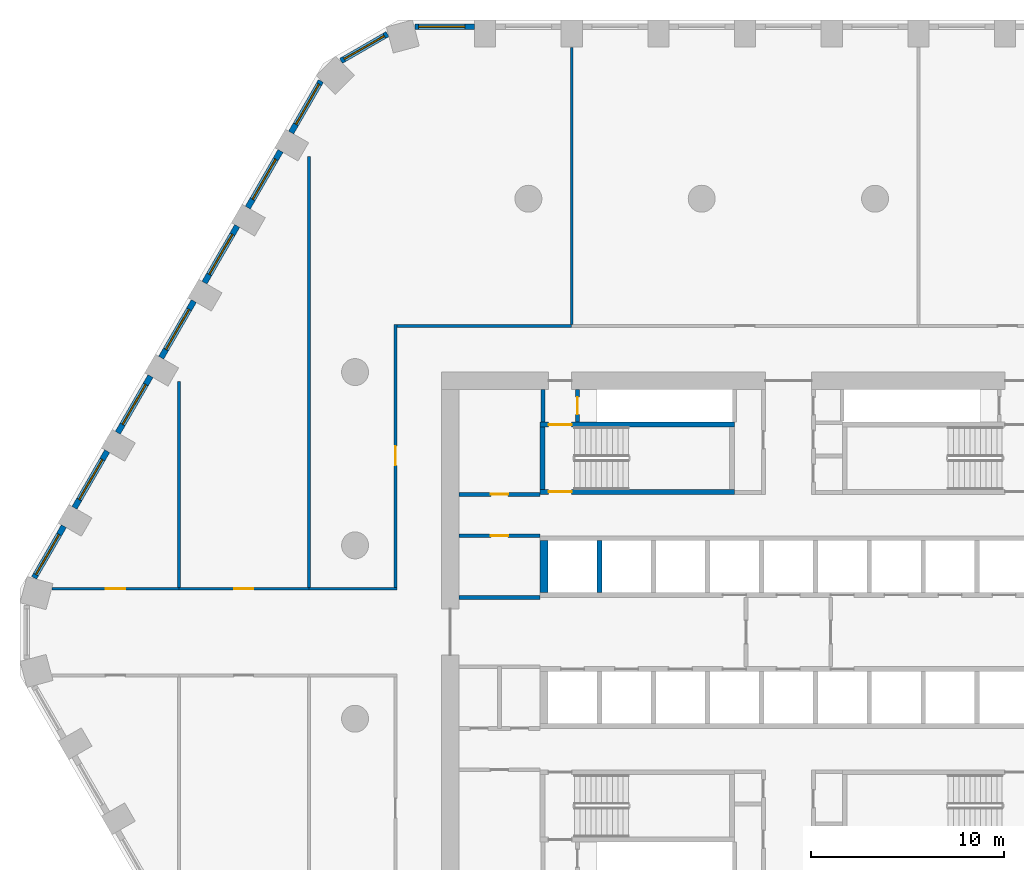
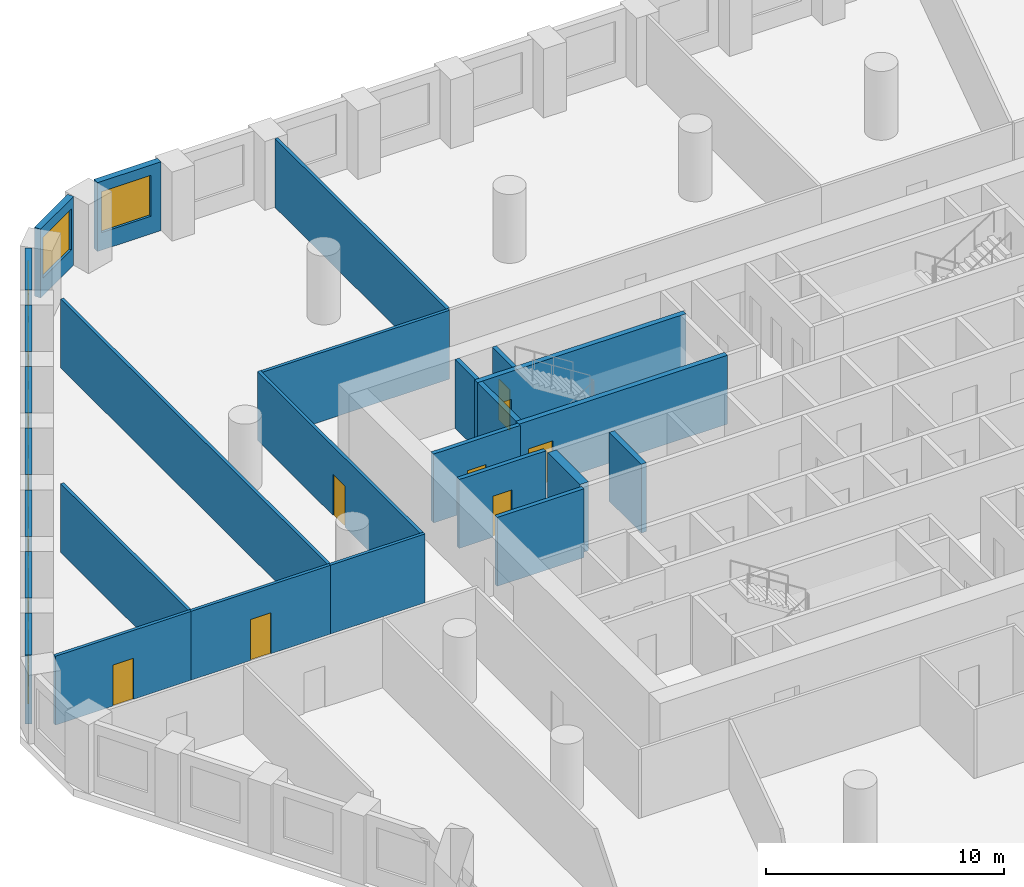
# One storey, part 5 of 10: 27 walls, 9 windows, 8 doors, 17 openings.
"""IFC4 building model written with IfcOpenShell, lengths in metres."""

from ifc_helpers import new_model, si_unit, direction, frame, frame_2d, origin, place, context, subcontext, project, spatial, polyline, rectangle, outline, extrude, material, layer, layer_set, type_object, element, fill, save


model = new_model("IFC4")

# Units and contexts
model_context = context("Model", 3, precision=1e-05, world=origin(), true_north=direction((0.0, 1.0)))
body_context = subcontext(model_context, "Body", "Model", "MODEL_VIEW")
ifc_project = project(units=[si_unit("LENGTHUNIT", "METRE"), si_unit("AREAUNIT", "SQUARE_METRE"), si_unit("VOLUMEUNIT", "CUBIC_METRE"), si_unit("PLANEANGLEUNIT", "RADIAN"), si_unit("MASSUNIT", "GRAM", prefix="KILO")], contexts=[model_context])

# Site, building, storey
site_placement = place(None, origin())
site = spatial("IfcSite", under=ifc_project, at=site_placement, CompositionType="ELEMENT")
building_placement = place(site_placement, origin())
building = spatial("IfcBuilding", under=site, at=building_placement, Name="Dhurran Vertical Campus", CompositionType="ELEMENT")
storey_placement = place(building_placement, frame((0.0, 0.0, 65.10009765625)))
storey = spatial("IfcBuildingStorey", under=building, at=storey_placement, Name="L15", CompositionType="ELEMENT", Elevation=65.10009765625)

# Wall, opening, window
ifc_material_1 = material(Name="Precast concrete C50/60", Category="concrete")
ifc_layer_1 = layer(ifc_material_1, 0.300048828125)
ifc_layer_set_1 = layer_set([ifc_layer_1], Name="Precast concrete C50/60")
wall_type_1 = type_object("IfcWallType", Name="Precast spandrel wall 300", PredefinedType="SOLIDWALL", material=ifc_layer_set_1)
wall_1_placement = place(storey_placement, frame((-16.300537109375, 31.4296875, 0.0), z_axis=(0.0, 0.0, 1.0), x_axis=(-1.0, 0.0, 0.0)))
wall_1 = element("IfcWall", 1, at=wall_1_placement, inside=storey, type_object=wall_type_1, Name="EW1 L15.34", PredefinedType="SOLIDWALL", context=body_context, shape_type="SweptSolid", body=[
    extrude(rectangle(XDim=3.090576171875, YDim=0.300048828125, at=frame_2d((1.54541015625, 0.0))), origin(), (0.0, 0.0, 1.0), 3.52490234375),
])
opening_1_placement = place(wall_1_placement, frame((0.49951171875, 0.0, 0.89990234375)))
opening_1 = element("IfcOpeningElement", 2, at=opening_1_placement, cuts=wall_1, Name="Opening WT1", PredefinedType="OPENING", context=body_context, shape_type="SweptSolid", body=[
    extrude(rectangle(XDim=2.39990234375, YDim=2.10009765625, at=frame_2d((1.199951171875, 1.050048828125))), frame((0.0, 0.159912109375, 0.0), z_axis=(0.0, -1.0, 0.0), x_axis=(1.0, 0.0, 0.0)), (0.0, 0.0, 1.0), 0.320068359375),
])
ifc_material_2 = material(Name="Aluminium frame with solar-control glass", Category="aluminium")
window_type = type_object("IfcWindowType", Name="Punched window 2400 x 2100", PartitioningType="SINGLE_PANEL", PredefinedType="WINDOW", material=ifc_material_2)
window_1_placement = place(opening_1_placement, origin())
window_1 = element("IfcWindow", 3, at=window_1_placement, inside=storey, type_object=window_type, Name="WT1 L15.34", OverallHeight=2.10009765625, OverallWidth=2.39990234375, PartitioningType="SINGLE_PANEL", PredefinedType="WINDOW", context=body_context, shape_type="SweptSolid", body=[
    extrude(rectangle(XDim=2.39990234375, YDim=2.10009765625, at=frame_2d((1.199951171875, 1.050048828125))), frame((0.0, 0.030029296875, 0.0), z_axis=(0.0, -1.0, 0.0), x_axis=(1.0, 0.0, 0.0)), (0.0, 0.0, 1.0), 0.06005859375),
])
fill(opening_1, window_1)

wall_2_placement = place(storey_placement, frame((-20.81884765625, 31.047119140625, 0.0), z_axis=(0.0, 0.0, 1.0), x_axis=(-0.866020456713, -0.500008568482, 0.0)))
wall_2 = element("IfcWall", 4, at=wall_2_placement, inside=storey, type_object=wall_type_1, Name="EW1 L15.35", PredefinedType="SOLIDWALL", context=body_context, shape_type="SweptSolid", body=[
    extrude(rectangle(XDim=2.7822265625, YDim=0.300048828125, at=frame_2d((1.39111328125, 0.0))), origin(), (0.0, 0.0, 1.0), 3.52490234375),
])
opening_2_placement = place(wall_2_placement, frame((0.191162109375, 0.0, 0.89990234375)))
opening_2 = element("IfcOpeningElement", 5, at=opening_2_placement, cuts=wall_2, Name="Opening WT1", PredefinedType="OPENING", context=body_context, shape_type="SweptSolid", body=[
    extrude(rectangle(XDim=2.39990234375, YDim=2.10009765625, at=frame_2d((1.199951171875, 1.050048828125))), frame((0.0, 0.159912109375, 0.0), z_axis=(0.0, -1.0, 0.0), x_axis=(1.0, 0.0, 0.0)), (0.0, 0.0, 1.0), 0.320068359375),
])
window_2_placement = place(opening_2_placement, origin())
window_2 = element("IfcWindow", 6, at=window_2_placement, inside=storey, type_object=window_type, Name="WT1 L15.35", OverallHeight=2.10009765625, OverallWidth=2.39990234375, PartitioningType="SINGLE_PANEL", PredefinedType="WINDOW", context=body_context, shape_type="SweptSolid", body=[
    extrude(rectangle(XDim=2.39990234375, YDim=2.10009765625, at=frame_2d((1.199951171875, 1.050048828125))), frame((0.0, 0.030029296875, 0.0), z_axis=(0.0, -1.0, 0.0), x_axis=(1.0, 0.0, 0.0)), (0.0, 0.0, 1.0), 0.06005859375),
])
fill(opening_2, window_2)

wall_3_placement = place(storey_placement, frame((-24.2734375, 28.611083984375, 0.0), z_axis=(0.0, 0.0, 1.0), x_axis=(-0.499995950774, -0.866027741594, 0.0)))
wall_3 = element("IfcWall", 7, at=wall_3_placement, inside=storey, type_object=wall_type_1, Name="EW1 L15.36", PredefinedType="SOLIDWALL", context=body_context, shape_type="SweptSolid", body=[
    extrude(rectangle(XDim=3.0908203125, YDim=0.300048828125, at=frame_2d((1.54541015625, 0.0))), origin(), (0.0, 0.0, 1.0), 3.52490234375),
])
opening_3_placement = place(wall_3_placement, frame((0.191162109375, 0.0, 0.89990234375)))
opening_3 = element("IfcOpeningElement", 8, at=opening_3_placement, cuts=wall_3, Name="Opening WT1", PredefinedType="OPENING", context=body_context, shape_type="SweptSolid", body=[
    extrude(rectangle(XDim=2.39990234375, YDim=2.10009765625, at=frame_2d((1.199951171875, 1.050048828125))), frame((0.0, 0.159912109375, 0.0), z_axis=(0.0, -1.0, 0.0), x_axis=(1.0, 0.0, 0.0)), (0.0, 0.0, 1.0), 0.320068359375),
])
window_3_placement = place(opening_3_placement, origin())
window_3 = element("IfcWindow", 9, at=window_3_placement, inside=storey, type_object=window_type, Name="WT1 L15.36", OverallHeight=2.10009765625, OverallWidth=2.39990234375, PartitioningType="SINGLE_PANEL", PredefinedType="WINDOW", context=body_context, shape_type="SweptSolid", body=[
    extrude(rectangle(XDim=2.39990234375, YDim=2.10009765625, at=frame_2d((1.199951171875, 1.050048828125))), frame((0.0, 0.030029296875, 0.0), z_axis=(0.0, -1.0, 0.0), x_axis=(1.0, 0.0, 0.0)), (0.0, 0.0, 1.0), 0.06005859375),
])
fill(opening_3, window_3)

wall_4_placement = place(storey_placement, frame((-26.369384765625, 24.98095703125, 0.0), z_axis=(0.0, 0.0, 1.0), x_axis=(-0.499993955907, -0.866028893315, 0.0)))
wall_4 = element("IfcWall", 10, at=wall_4_placement, inside=storey, type_object=wall_type_1, Name="EW1 L15.37", PredefinedType="SOLIDWALL", context=body_context, shape_type="SweptSolid", body=[
    extrude(rectangle(XDim=3.39892578125, YDim=0.300048828125, at=frame_2d((1.699462890625, 0.0))), origin(), (0.0, 0.0, 1.0), 3.52490234375),
])
opening_4_placement = place(wall_4_placement, frame((0.49951171875, 0.0, 0.89990234375)))
opening_4 = element("IfcOpeningElement", 11, at=opening_4_placement, cuts=wall_4, Name="Opening WT1", PredefinedType="OPENING", context=body_context, shape_type="SweptSolid", body=[
    extrude(rectangle(XDim=2.39990234375, YDim=2.10009765625, at=frame_2d((1.199951171875, 1.050048828125))), frame((0.0, 0.159912109375, 0.0), z_axis=(0.0, -1.0, 0.0), x_axis=(1.0, 0.0, 0.0)), (0.0, 0.0, 1.0), 0.320068359375),
])
window_4_placement = place(opening_4_placement, origin())
window_4 = element("IfcWindow", 12, at=window_4_placement, inside=storey, type_object=window_type, Name="WT1 L15.37", OverallHeight=2.10009765625, OverallWidth=2.39990234375, PartitioningType="SINGLE_PANEL", PredefinedType="WINDOW", context=body_context, shape_type="SweptSolid", body=[
    extrude(rectangle(XDim=2.39990234375, YDim=2.10009765625, at=frame_2d((1.199951171875, 1.050048828125))), frame((0.0, 0.030029296875, 0.0), z_axis=(0.0, -1.0, 0.0), x_axis=(1.0, 0.0, 0.0)), (0.0, 0.0, 1.0), 0.06005859375),
])
fill(opening_4, window_4)

wall_5_placement = place(storey_placement, frame((-28.619384765625, 21.083740234375, 0.0), z_axis=(0.0, 0.0, 1.0), x_axis=(-0.499993955907, -0.866028893315, 0.0)))
wall_5 = element("IfcWall", 13, at=wall_5_placement, inside=storey, type_object=wall_type_1, Name="EW1 L15.38", PredefinedType="SOLIDWALL", context=body_context, shape_type="SweptSolid", body=[
    extrude(rectangle(XDim=3.39892578125, YDim=0.300048828125, at=frame_2d((1.699462890625, 0.0))), origin(), (0.0, 0.0, 1.0), 3.52490234375),
])
opening_5_placement = place(wall_5_placement, frame((0.49951171875, 0.0, 0.89990234375)))
opening_5 = element("IfcOpeningElement", 14, at=opening_5_placement, cuts=wall_5, Name="Opening WT1", PredefinedType="OPENING", context=body_context, shape_type="SweptSolid", body=[
    extrude(rectangle(XDim=2.39990234375, YDim=2.10009765625, at=frame_2d((1.199951171875, 1.050048828125))), frame((0.0, 0.159912109375, 0.0), z_axis=(0.0, -1.0, 0.0), x_axis=(1.0, 0.0, 0.0)), (0.0, 0.0, 1.0), 0.320068359375),
])
window_5_placement = place(opening_5_placement, origin())
window_5 = element("IfcWindow", 15, at=window_5_placement, inside=storey, type_object=window_type, Name="WT1 L15.38", OverallHeight=2.10009765625, OverallWidth=2.39990234375, PartitioningType="SINGLE_PANEL", PredefinedType="WINDOW", context=body_context, shape_type="SweptSolid", body=[
    extrude(rectangle(XDim=2.39990234375, YDim=2.10009765625, at=frame_2d((1.199951171875, 1.050048828125))), frame((0.0, 0.030029296875, 0.0), z_axis=(0.0, -1.0, 0.0), x_axis=(1.0, 0.0, 0.0)), (0.0, 0.0, 1.0), 0.06005859375),
])
fill(opening_5, window_5)

wall_6_placement = place(storey_placement, frame((-30.869384765625, 17.186767578125, 0.0), z_axis=(0.0, 0.0, 1.0), x_axis=(-0.499993955907, -0.866028893315, 0.0)))
wall_6 = element("IfcWall", 16, at=wall_6_placement, inside=storey, type_object=wall_type_1, Name="EW1 L15.39", PredefinedType="SOLIDWALL", context=body_context, shape_type="SweptSolid", body=[
    extrude(rectangle(XDim=3.39892578125, YDim=0.300048828125, at=frame_2d((1.699462890625, 0.0))), origin(), (0.0, 0.0, 1.0), 3.52490234375),
])
opening_6_placement = place(wall_6_placement, frame((0.49951171875, 0.0, 0.89990234375)))
opening_6 = element("IfcOpeningElement", 17, at=opening_6_placement, cuts=wall_6, Name="Opening WT1", PredefinedType="OPENING", context=body_context, shape_type="SweptSolid", body=[
    extrude(rectangle(XDim=2.39990234375, YDim=2.10009765625, at=frame_2d((1.199951171875, 1.050048828125))), frame((0.0, 0.159912109375, 0.0), z_axis=(0.0, -1.0, 0.0), x_axis=(1.0, 0.0, 0.0)), (0.0, 0.0, 1.0), 0.320068359375),
])
window_6_placement = place(opening_6_placement, origin())
window_6 = element("IfcWindow", 18, at=window_6_placement, inside=storey, type_object=window_type, Name="WT1 L15.39", OverallHeight=2.10009765625, OverallWidth=2.39990234375, PartitioningType="SINGLE_PANEL", PredefinedType="WINDOW", context=body_context, shape_type="SweptSolid", body=[
    extrude(rectangle(XDim=2.39990234375, YDim=2.10009765625, at=frame_2d((1.199951171875, 1.050048828125))), frame((0.0, 0.030029296875, 0.0), z_axis=(0.0, -1.0, 0.0), x_axis=(1.0, 0.0, 0.0)), (0.0, 0.0, 1.0), 0.06005859375),
])
fill(opening_6, window_6)

wall_7_placement = place(storey_placement, frame((-33.119384765625, 13.28955078125, 0.0), z_axis=(0.0, 0.0, 1.0), x_axis=(-0.499993955907, -0.866028893315, 0.0)))
wall_7 = element("IfcWall", 19, at=wall_7_placement, inside=storey, type_object=wall_type_1, Name="EW1 L15.40", PredefinedType="SOLIDWALL", context=body_context, shape_type="SweptSolid", body=[
    extrude(rectangle(XDim=3.39892578125, YDim=0.300048828125, at=frame_2d((1.699462890625, 0.0))), origin(), (0.0, 0.0, 1.0), 3.52490234375),
])
opening_7_placement = place(wall_7_placement, frame((0.49951171875, 0.0, 0.89990234375)))
opening_7 = element("IfcOpeningElement", 20, at=opening_7_placement, cuts=wall_7, Name="Opening WT1", PredefinedType="OPENING", context=body_context, shape_type="SweptSolid", body=[
    extrude(rectangle(XDim=2.39990234375, YDim=2.10009765625, at=frame_2d((1.199951171875, 1.050048828125))), frame((0.0, 0.159912109375, 0.0), z_axis=(0.0, -1.0, 0.0), x_axis=(1.0, 0.0, 0.0)), (0.0, 0.0, 1.0), 0.320068359375),
])
window_7_placement = place(opening_7_placement, origin())
window_7 = element("IfcWindow", 21, at=window_7_placement, inside=storey, type_object=window_type, Name="WT1 L15.40", OverallHeight=2.10009765625, OverallWidth=2.39990234375, PartitioningType="SINGLE_PANEL", PredefinedType="WINDOW", context=body_context, shape_type="SweptSolid", body=[
    extrude(rectangle(XDim=2.39990234375, YDim=2.10009765625, at=frame_2d((1.199951171875, 1.050048828125))), frame((0.0, 0.030029296875, 0.0), z_axis=(0.0, -1.0, 0.0), x_axis=(1.0, 0.0, 0.0)), (0.0, 0.0, 1.0), 0.06005859375),
])
fill(opening_7, window_7)

wall_8_placement = place(storey_placement, frame((-35.369384765625, 9.392578125, 0.0), z_axis=(0.0, 0.0, 1.0), x_axis=(-0.499993955907, -0.866028893315, 0.0)))
wall_8 = element("IfcWall", 22, at=wall_8_placement, inside=storey, type_object=wall_type_1, Name="EW1 L15.41", PredefinedType="SOLIDWALL", context=body_context, shape_type="SweptSolid", body=[
    extrude(rectangle(XDim=3.39892578125, YDim=0.300048828125, at=frame_2d((1.699462890625, 0.0))), origin(), (0.0, 0.0, 1.0), 3.52490234375),
])
opening_8_placement = place(wall_8_placement, frame((0.49951171875, 0.0, 0.89990234375)))
opening_8 = element("IfcOpeningElement", 23, at=opening_8_placement, cuts=wall_8, Name="Opening WT1", PredefinedType="OPENING", context=body_context, shape_type="SweptSolid", body=[
    extrude(rectangle(XDim=2.39990234375, YDim=2.10009765625, at=frame_2d((1.199951171875, 1.050048828125))), frame((0.0, 0.159912109375, 0.0), z_axis=(0.0, -1.0, 0.0), x_axis=(1.0, 0.0, 0.0)), (0.0, 0.0, 1.0), 0.320068359375),
])
window_8_placement = place(opening_8_placement, origin())
window_8 = element("IfcWindow", 24, at=window_8_placement, inside=storey, type_object=window_type, Name="WT1 L15.41", OverallHeight=2.10009765625, OverallWidth=2.39990234375, PartitioningType="SINGLE_PANEL", PredefinedType="WINDOW", context=body_context, shape_type="SweptSolid", body=[
    extrude(rectangle(XDim=2.39990234375, YDim=2.10009765625, at=frame_2d((1.199951171875, 1.050048828125))), frame((0.0, 0.030029296875, 0.0), z_axis=(0.0, -1.0, 0.0), x_axis=(1.0, 0.0, 0.0)), (0.0, 0.0, 1.0), 0.06005859375),
])
fill(opening_8, window_8)

wall_9_placement = place(storey_placement, frame((-37.619384765625, 5.495361328125, 0.0), z_axis=(0.0, 0.0, 1.0), x_axis=(-0.49997090907, -0.866042198789, 0.0)))
wall_9 = element("IfcWall", 25, at=wall_9_placement, inside=storey, type_object=wall_type_1, Name="EW1 L15.42", PredefinedType="SOLIDWALL", context=body_context, shape_type="SweptSolid", body=[
    extrude(rectangle(XDim=3.090576171875, YDim=0.300048828125, at=frame_2d((1.54541015625, 0.0))), origin(), (0.0, 0.0, 1.0), 3.52490234375),
])
opening_9_placement = place(wall_9_placement, frame((0.49951171875, 0.0, 0.89990234375)))
opening_9 = element("IfcOpeningElement", 26, at=opening_9_placement, cuts=wall_9, Name="Opening WT1", PredefinedType="OPENING", context=body_context, shape_type="SweptSolid", body=[
    extrude(rectangle(XDim=2.39990234375, YDim=2.10009765625, at=frame_2d((1.199951171875, 1.050048828125))), frame((0.0, 0.159912109375, 0.0), z_axis=(0.0, -1.0, 0.0), x_axis=(1.0, 0.0, 0.0)), (0.0, 0.0, 1.0), 0.320068359375),
])
window_9_placement = place(opening_9_placement, origin())
window_9 = element("IfcWindow", 27, at=window_9_placement, inside=storey, type_object=window_type, Name="WT1 L15.42", OverallHeight=2.10009765625, OverallWidth=2.39990234375, PartitioningType="SINGLE_PANEL", PredefinedType="WINDOW", context=body_context, shape_type="SweptSolid", body=[
    extrude(rectangle(XDim=2.39990234375, YDim=2.10009765625, at=frame_2d((1.199951171875, 1.050048828125))), frame((0.0, 0.030029296875, 0.0), z_axis=(0.0, -1.0, 0.0), x_axis=(1.0, 0.0, 0.0)), (0.0, 0.0, 1.0), 0.06005859375),
])
fill(opening_9, window_9)

# Wall
ifc_material_3 = material(Name="Fire-rated masonry blockwork", Category="masonry")
ifc_layer_2 = layer(ifc_material_3, 0.199951171875)
ifc_layer_set_2 = layer_set([ifc_layer_2], Name="Fire-rated masonry blockwork")
wall_type_2 = type_object("IfcWallType", Name="co-FIRE-PARTITION-200", PredefinedType="PARTITIONING", material=ifc_layer_set_2)
wall_10_placement = place(storey_placement, frame((-12.75, 10.89990234375, 0.0), z_axis=(0.0, 0.0, 1.0), x_axis=(0.0, 1.0, 0.0)))
element("IfcWall", 28, at=wall_10_placement, inside=storey, type_object=wall_type_2, Name="Core partition pass-ST1-o L15", PredefinedType="PARTITIONING", context=body_context, shape_type="SweptSolid", body=[
    extrude(rectangle(XDim=1.7001953125, YDim=0.199951171875, at=frame_2d((0.85009765625, 0.0))), origin(), (0.0, 0.0, 1.0), 3.52490234375),
])

# Wall, opening, door
wall_11_placement = place(storey_placement, frame((-10.949951171875, 10.89990234375, 0.0), z_axis=(0.0, 0.0, 1.0), x_axis=(0.0, 1.0, 0.0)))
wall_11 = element("IfcWall", 29, at=wall_11_placement, inside=storey, type_object=wall_type_2, Name="Core partition pass-ST1-i L15", PredefinedType="PARTITIONING", context=body_context, shape_type="SweptSolid", body=[
    extrude(rectangle(XDim=1.7001953125, YDim=0.199951171875, at=frame_2d((0.85009765625, 0.0))), origin(), (0.0, 0.0, 1.0), 3.52490234375),
])
opening_10_placement = place(wall_11_placement, frame((0.39990234375, 0.0, 0.0)))
opening_10 = element("IfcOpeningElement", 30, at=opening_10_placement, cuts=wall_11, Name="Opening T04-C9", PredefinedType="OPENING", context=body_context, shape_type="SweptSolid", body=[
    extrude(rectangle(XDim=0.89990234375, YDim=2.10009765625, at=frame_2d((0.449951171875, 1.050048828125))), frame((0.0, 0.10986328125, 0.0), z_axis=(0.0, -1.0, 0.0), x_axis=(1.0, 0.0, 0.0)), (0.0, 0.0, 1.0), 0.219970703125),
])
ifc_material_4 = material(Name="Fire-rated timber door set", Category="wood")
door_type_1 = type_object("IfcDoorType", Name="co-D-ROOM 900x2100", OperationType="SINGLE_SWING_LEFT", PredefinedType="DOOR", material=ifc_material_4)
door_1_placement = place(opening_10_placement, origin())
door_1 = element("IfcDoor", 31, at=door_1_placement, inside=storey, type_object=door_type_1, Name="Riser room door L15", OperationType="SINGLE_SWING_LEFT", OverallHeight=2.10009765625, OverallWidth=0.89990234375, PredefinedType="DOOR", context=body_context, shape_type="SweptSolid", body=[
    extrude(rectangle(XDim=0.89990234375, YDim=2.10009765625, at=frame_2d((0.449951171875, 1.050048828125))), frame((0.0, 0.02490234375, 0.0), z_axis=(0.0, -1.0, 0.0), x_axis=(1.0, 0.0, 0.0)), (0.0, 0.0, 1.0), 0.050048828125),
])
fill(opening_10, door_1)

wall_12_placement = place(storey_placement, frame((-17.10009765625, 7.14990234375, 0.0), z_axis=(0.0, 0.0, 1.0), x_axis=(1.0, 0.0, 0.0)))
wall_12 = element("IfcWall", 32, at=wall_12_placement, inside=storey, type_object=wall_type_2, Name="Core partition en-NW-w L15", PredefinedType="PARTITIONING", context=body_context, shape_type="SweptSolid", body=[
    extrude(rectangle(XDim=4.2001953125, YDim=0.199951171875, at=frame_2d((2.10009765625, 0.0))), origin(), (0.0, 0.0, 1.0), 3.52490234375),
])
opening_11_placement = place(wall_12_placement, frame((1.64990234375, 0.0, 0.0)))
opening_11 = element("IfcOpeningElement", 33, at=opening_11_placement, cuts=wall_12, Name="Opening T04-C13", PredefinedType="OPENING", context=body_context, shape_type="SweptSolid", body=[
    extrude(rectangle(XDim=0.89990234375, YDim=2.10009765625, at=frame_2d((0.449951171875, 1.050048828125))), frame((0.0, 0.10986328125, 0.0), z_axis=(0.0, -1.0, 0.0), x_axis=(1.0, 0.0, 0.0)), (0.0, 0.0, 1.0), 0.219970703125),
])
door_2_placement = place(opening_11_placement, origin())
door_2 = element("IfcDoor", 34, at=door_2_placement, inside=storey, type_object=door_type_1, Name="Store door L15", OperationType="SINGLE_SWING_LEFT", OverallHeight=2.10009765625, OverallWidth=0.89990234375, PredefinedType="DOOR", context=body_context, shape_type="SweptSolid", body=[
    extrude(rectangle(XDim=0.89990234375, YDim=2.10009765625, at=frame_2d((0.449951171875, 1.050048828125))), frame((0.0, 0.02490234375, 0.0), z_axis=(0.0, -1.0, 0.0), x_axis=(1.0, 0.0, 0.0)), (0.0, 0.0, 1.0), 0.050048828125),
])
fill(opening_11, door_2)

wall_13_placement = place(storey_placement, frame((-17.10009765625, 5.0, 0.0), z_axis=(0.0, 0.0, 1.0), x_axis=(1.0, 0.0, 0.0)))
wall_13 = element("IfcWall", 35, at=wall_13_placement, inside=storey, type_object=wall_type_2, Name="Core partition es-NW-w L15", PredefinedType="PARTITIONING", context=body_context, shape_type="SweptSolid", body=[
    extrude(rectangle(XDim=4.2001953125, YDim=0.199951171875, at=frame_2d((2.10009765625, 0.0))), origin(), (0.0, 0.0, 1.0), 3.52490234375),
])
opening_12_placement = place(wall_13_placement, frame((1.64990234375, 0.0, 0.0)))
opening_12 = element("IfcOpeningElement", 36, at=opening_12_placement, cuts=wall_13, Name="Opening T04-C14", PredefinedType="OPENING", context=body_context, shape_type="SweptSolid", body=[
    extrude(rectangle(XDim=0.89990234375, YDim=2.10009765625, at=frame_2d((0.449951171875, 1.050048828125))), frame((0.0, 0.10986328125, 0.0), z_axis=(0.0, -1.0, 0.0), x_axis=(1.0, 0.0, 0.0)), (0.0, 0.0, 1.0), 0.219970703125),
])
door_3_placement = place(opening_12_placement, origin())
door_3 = element("IfcDoor", 37, at=door_3_placement, inside=storey, type_object=door_type_1, Name="Print room door L15", OperationType="SINGLE_SWING_LEFT", OverallHeight=2.10009765625, OverallWidth=0.89990234375, PredefinedType="DOOR", context=body_context, shape_type="SweptSolid", body=[
    extrude(rectangle(XDim=0.89990234375, YDim=2.10009765625, at=frame_2d((0.449951171875, 1.050048828125))), frame((0.0, 0.02490234375, 0.0), z_axis=(0.0, -1.0, 0.0), x_axis=(1.0, 0.0, 0.0)), (0.0, 0.0, 1.0), 0.050048828125),
])
fill(opening_12, door_3)

# Walls
wall_14_placement = place(storey_placement, frame((-17.10009765625, 1.800048828125, 0.0), z_axis=(0.0, 0.0, 1.0), x_axis=(1.0, 0.0, 0.0)))
element("IfcWall", 38, at=wall_14_placement, inside=storey, type_object=wall_type_2, Name="Core partition es-NW-l L15", PredefinedType="PARTITIONING", context=body_context, shape_type="SweptSolid", body=[
    extrude(rectangle(XDim=4.2001953125, YDim=0.199951171875, at=frame_2d((2.10009765625, 0.0))), origin(), (0.0, 0.0, 1.0), 3.52490234375),
])
ifc_material_5 = material(Name="Concrete C50/60", Category="concrete")
ifc_layer_3 = layer(ifc_material_5, 0.25)
ifc_layer_set_3 = layer_set([ifc_layer_3], Name="Concrete C50/60")
wall_type_3 = type_object("IfcWallType", Name="co-SHAFT-MASS-250", PredefinedType="SHEAR", material=ifc_layer_set_3)
wall_15_placement = place(storey_placement, origin())
element("IfcWall", 39, at=wall_15_placement, inside=storey, type_object=wall_type_3, Name="Lift shaft wall N L15 2", PredefinedType="SHEAR", context=body_context, shape_type="SweptSolid", body=[
    extrude(outline(polyline([(-12.89990234375, 2.050048828125), (-12.47509765625, 2.050048828125), (-12.47509765625, 4.75), (-12.89990234375, 4.75), (-12.89990234375, 2.050048828125)])), origin(), (0.0, 0.0, 1.0), 3.52490234375),
])
wall_16_placement = place(storey_placement, origin())
element("IfcWall", 40, at=wall_16_placement, inside=storey, type_object=wall_type_3, Name="Lift shaft wall N L15 3", PredefinedType="SHEAR", context=body_context, shape_type="SweptSolid", body=[
    extrude(outline(polyline([(-9.925048828125, 2.050048828125), (-9.675048828125, 2.050048828125), (-9.675048828125, 4.75), (-9.925048828125, 4.75), (-9.925048828125, 2.050048828125)])), origin(), (0.0, 0.0, 1.0), 3.52490234375),
])

# Wall, opening, door
ifc_material_6 = material(Name="Concrete C40/50", Category="concrete")
ifc_layer_4 = layer(ifc_material_6, 0.25)
ifc_layer_set_4 = layer_set([ifc_layer_4], Name="Concrete C40/50")
wall_type_4 = type_object("IfcWallType", Name="co-STAIR-WALL-250", PredefinedType="SHEAR", material=ifc_layer_set_4)
wall_17_placement = place(storey_placement, frame((-12.89990234375, 7.27490234375, 0.0), z_axis=(0.0, 0.0, 1.0), x_axis=(1.0, 0.0, 0.0)))
wall_17 = element("IfcWall", 41, at=wall_17_placement, inside=storey, type_object=wall_type_4, Name="Stair ST1 enclosure wall L15", PredefinedType="SHEAR", context=body_context, shape_type="SweptSolid", body=[
    extrude(rectangle(XDim=10.099853515625, YDim=0.25, at=frame_2d((5.0498046875, 0.0))), origin(), (0.0, 0.0, 1.0), 3.52490234375),
])
opening_13_placement = place(wall_17_placement, frame((0.449951171875, 0.0, 0.0)))
opening_13 = element("IfcOpeningElement", 42, at=opening_13_placement, cuts=wall_17, Name="Opening SD1", PredefinedType="OPENING", context=body_context, shape_type="SweptSolid", body=[
    extrude(rectangle(XDim=1.199951171875, YDim=2.10009765625, at=frame_2d((0.60009765625, 1.050048828125))), frame((0.0, 0.135009765625, 0.0), z_axis=(0.0, -1.0, 0.0), x_axis=(1.0, 0.0, 0.0)), (0.0, 0.0, 1.0), 0.27001953125),
])
ifc_material_7 = material(Name="Fire-rated steel door set", Category="steel")
door_type_2 = type_object("IfcDoorType", Name="co-D-STAIR 1200x2100", OperationType="SINGLE_SWING_LEFT", PredefinedType="DOOR", material=ifc_material_7)
door_4_placement = place(opening_13_placement, origin())
door_4 = element("IfcDoor", 43, at=door_4_placement, inside=storey, type_object=door_type_2, Name="Stair ST1 door L15", OperationType="SINGLE_SWING_LEFT", OverallHeight=2.10009765625, OverallWidth=1.199951171875, PredefinedType="DOOR", context=body_context, shape_type="SweptSolid", body=[
    extrude(rectangle(XDim=1.199951171875, YDim=2.10009765625, at=frame_2d((0.60009765625, 1.050048828125))), frame((0.0, 0.02490234375, 0.0), z_axis=(0.0, -1.0, 0.0), x_axis=(1.0, 0.0, 0.0)), (0.0, 0.0, 1.0), 0.050048828125),
])
fill(opening_13, door_4)

wall_18_placement = place(storey_placement, frame((-12.89990234375, 10.77490234375, 0.0), z_axis=(0.0, 0.0, 1.0), x_axis=(1.0, 0.0, 0.0)))
wall_18 = element("IfcWall", 44, at=wall_18_placement, inside=storey, type_object=wall_type_4, Name="Stair ST1 enclosure wall L15", PredefinedType="SHEAR", context=body_context, shape_type="SweptSolid", body=[
    extrude(rectangle(XDim=10.099853515625, YDim=0.25, at=frame_2d((5.0498046875, 0.0))), origin(), (0.0, 0.0, 1.0), 3.52490234375),
])
opening_14_placement = place(wall_18_placement, frame((0.449951171875, 0.0, 0.0)))
opening_14 = element("IfcOpeningElement", 45, at=opening_14_placement, cuts=wall_18, Name="Opening XS1", PredefinedType="OPENING", context=body_context, shape_type="SweptSolid", body=[
    extrude(rectangle(XDim=1.199951171875, YDim=2.10009765625, at=frame_2d((0.60009765625, 1.050048828125))), frame((0.0, 0.135009765625, 0.0), z_axis=(0.0, -1.0, 0.0), x_axis=(1.0, 0.0, 0.0)), (0.0, 0.0, 1.0), 0.27001953125),
])
ifc_material_8 = material(Name="Fire-rated steel door set", Category="steel")
door_type_3 = type_object("IfcDoorType", Name="co-D-STAIR-EXIT 1200x2100", OperationType="SINGLE_SWING_RIGHT", PredefinedType="DOOR", material=ifc_material_8)
door_5_placement = place(opening_14_placement, origin())
door_5 = element("IfcDoor", 46, at=door_5_placement, inside=storey, type_object=door_type_3, Name="Stair ST1 discharge door L15", OperationType="SINGLE_SWING_RIGHT", OverallHeight=2.10009765625, OverallWidth=1.199951171875, PredefinedType="DOOR", context=body_context, shape_type="SweptSolid", body=[
    extrude(rectangle(XDim=1.199951171875, YDim=2.10009765625, at=frame_2d((0.60009765625, 1.050048828125))), frame((0.0, 0.02490234375, 0.0), z_axis=(0.0, -1.0, 0.0), x_axis=(1.0, 0.0, 0.0)), (0.0, 0.0, 1.0), 0.050048828125),
])
fill(opening_14, door_5)

# Wall
wall_19_placement = place(storey_placement, frame((-12.77490234375, 7.39990234375, 0.0), z_axis=(0.0, 0.0, 1.0), x_axis=(0.0, 1.0, 0.0)))
element("IfcWall", 47, at=wall_19_placement, inside=storey, type_object=wall_type_4, Name="Stair ST1 enclosure wall L15", PredefinedType="SHEAR", context=body_context, shape_type="SweptSolid", body=[
    extrude(rectangle(XDim=3.25, YDim=0.25, at=frame_2d((1.625, 0.0))), origin(), (0.0, 0.0, 1.0), 3.52490234375),
])

# Wall, opening, door
ifc_material_9 = material(Name="Gypsum board corridor wall on steel studs", Category="steel")
ifc_layer_5 = layer(ifc_material_9, 0.14990234375)
ifc_layer_set_5 = layer_set([ifc_layer_5], Name="Gypsum board corridor wall on steel studs")
wall_type_5 = type_object("IfcWallType", Name="fl-CW-150 corridor wall", PredefinedType="PARTITIONING", material=ifc_layer_set_5)
wall_20_placement = place(storey_placement, frame((-38.23291015625, 2.25, 0.0), z_axis=(0.0, 0.0, 1.0), x_axis=(1.0, 0.0, 0.0)))
wall_20 = element("IfcWall", 48, at=wall_20_placement, inside=storey, type_object=wall_type_5, Name="Partition 15-02", PredefinedType="PARTITIONING", context=body_context, shape_type="SweptSolid", body=[
    extrude(rectangle(XDim=6.5830078125, YDim=0.14990234375, at=frame_2d((3.29150390625, 0.0))), origin(), (0.0, 0.0, 1.0), 3.52490234375),
])
opening_15_placement = place(wall_20_placement, frame((2.79150390625, 0.0, 0.0)))
opening_15 = element("IfcOpeningElement", 49, at=opening_15_placement, cuts=wall_20, Name="Opening T04.02", PredefinedType="OPENING", context=body_context, shape_type="SweptSolid", body=[
    extrude(rectangle(XDim=1.0, YDim=2.10009765625, at=frame_2d((0.5, 1.050048828125))), frame((0.0, 0.0849609375, 0.0), z_axis=(0.0, -1.0, 0.0), x_axis=(1.0, 0.0, 0.0)), (0.0, 0.0, 1.0), 0.169921875),
])
ifc_material_10 = material(Name="Solid-core timber door set, fire-rated", Category="wood")
door_type_4 = type_object("IfcDoorType", Name="fl-D-1000x2100", OperationType="SINGLE_SWING_LEFT", PredefinedType="DOOR", material=ifc_material_10)
door_6_placement = place(opening_15_placement, origin())
door_6 = element("IfcDoor", 50, at=door_6_placement, inside=storey, type_object=door_type_4, Name="Door 15.02", OperationType="SINGLE_SWING_RIGHT", OverallHeight=2.10009765625, OverallWidth=1.0, PredefinedType="DOOR", context=body_context, shape_type="SweptSolid", body=[
    extrude(rectangle(XDim=1.0, YDim=2.10009765625, at=frame_2d((0.5, 1.050048828125))), frame((0.0, 0.02490234375, 0.0), z_axis=(0.0, -1.0, 0.0), x_axis=(1.0, 0.0, 0.0)), (0.0, 0.0, 1.0), 0.050048828125),
])
fill(opening_15, door_6)

wall_21_placement = place(storey_placement, frame((-31.64990234375, 2.25, 0.0), z_axis=(0.0, 0.0, 1.0), x_axis=(1.0, 0.0, 0.0)))
wall_21 = element("IfcWall", 51, at=wall_21_placement, inside=storey, type_object=wall_type_5, Name="Partition 15-06", PredefinedType="PARTITIONING", context=body_context, shape_type="SweptSolid", body=[
    extrude(rectangle(XDim=6.75, YDim=0.14990234375, at=frame_2d((3.375, 0.0))), origin(), (0.0, 0.0, 1.0), 3.52490234375),
])
opening_16_placement = place(wall_21_placement, frame((2.875, 0.0, 0.0)))
opening_16 = element("IfcOpeningElement", 52, at=opening_16_placement, cuts=wall_21, Name="Opening T04.04", PredefinedType="OPENING", context=body_context, shape_type="SweptSolid", body=[
    extrude(rectangle(XDim=1.0, YDim=2.10009765625, at=frame_2d((0.5, 1.050048828125))), frame((0.0, 0.0849609375, 0.0), z_axis=(0.0, -1.0, 0.0), x_axis=(1.0, 0.0, 0.0)), (0.0, 0.0, 1.0), 0.169921875),
])
door_7_placement = place(opening_16_placement, origin())
door_7 = element("IfcDoor", 53, at=door_7_placement, inside=storey, type_object=door_type_4, Name="Door 15.04", OperationType="SINGLE_SWING_RIGHT", OverallHeight=2.10009765625, OverallWidth=1.0, PredefinedType="DOOR", context=body_context, shape_type="SweptSolid", body=[
    extrude(rectangle(XDim=1.0, YDim=2.10009765625, at=frame_2d((0.5, 1.050048828125))), frame((0.0, 0.02490234375, 0.0), z_axis=(0.0, -1.0, 0.0), x_axis=(1.0, 0.0, 0.0)), (0.0, 0.0, 1.0), 0.050048828125),
])
fill(opening_16, door_7)

# Wall
wall_22_placement = place(storey_placement, frame((-24.89990234375, 2.25, 0.0), z_axis=(0.0, 0.0, 1.0), x_axis=(1.0, 0.0, 0.0)))
element("IfcWall", 54, at=wall_22_placement, inside=storey, type_object=wall_type_5, Name="Partition 15-10", PredefinedType="PARTITIONING", context=body_context, shape_type="SweptSolid", body=[
    extrude(rectangle(XDim=4.574951171875, YDim=0.14990234375, at=frame_2d((2.28759765625, 0.0))), origin(), (0.0, 0.0, 1.0), 3.52490234375),
])

# Wall, opening, door
wall_23_placement = place(storey_placement, frame((-20.39990234375, 15.97509765625, 0.0), z_axis=(0.0, 0.0, 1.0), x_axis=(0.0, -1.0, 0.0)))
wall_23 = element("IfcWall", 55, at=wall_23_placement, inside=storey, type_object=wall_type_5, Name="Partition 15-13", PredefinedType="PARTITIONING", context=body_context, shape_type="SweptSolid", body=[
    extrude(rectangle(XDim=13.650146484375, YDim=0.14990234375, at=frame_2d((6.8251953125, 0.0))), origin(), (0.0, 0.0, 1.0), 3.52490234375),
])
opening_17_placement = place(wall_23_placement, frame((6.324951171875, 0.0, 0.0)))
opening_17 = element("IfcOpeningElement", 56, at=opening_17_placement, cuts=wall_23, Name="Opening T04.06", PredefinedType="OPENING", context=body_context, shape_type="SweptSolid", body=[
    extrude(rectangle(XDim=1.0, YDim=2.10009765625, at=frame_2d((0.5, 1.050048828125))), frame((0.0, 0.0849609375, 0.0), z_axis=(0.0, -1.0, 0.0), x_axis=(1.0, 0.0, 0.0)), (0.0, 0.0, 1.0), 0.169921875),
])
door_8_placement = place(opening_17_placement, origin())
door_8 = element("IfcDoor", 57, at=door_8_placement, inside=storey, type_object=door_type_4, Name="Door 15.06", OperationType="SINGLE_SWING_LEFT", OverallHeight=2.10009765625, OverallWidth=1.0, PredefinedType="DOOR", context=body_context, shape_type="SweptSolid", body=[
    extrude(rectangle(XDim=1.0, YDim=2.10009765625, at=frame_2d((0.5, 1.050048828125))), frame((0.0, 0.02490234375, 0.0), z_axis=(0.0, -1.0, 0.0), x_axis=(1.0, 0.0, 0.0)), (0.0, 0.0, 1.0), 0.050048828125),
])
fill(opening_17, door_8)

# Walls
wall_24_placement = place(storey_placement, frame((-11.25, 15.89990234375, 0.0), z_axis=(0.0, 0.0, 1.0), x_axis=(-1.0, 0.0, 0.0)))
element("IfcWall", 58, at=wall_24_placement, inside=storey, type_object=wall_type_5, Name="Partition 15-14", PredefinedType="PARTITIONING", context=body_context, shape_type="SweptSolid", body=[
    extrude(rectangle(XDim=9.074951171875, YDim=0.14990234375, at=frame_2d((4.53759765625, 0.0))), origin(), (0.0, 0.0, 1.0), 3.52490234375),
])
ifc_material_11 = material(Name="Gypsum board partition on steel studs", Category="steel")
ifc_layer_6 = layer(ifc_material_11, 0.14990234375)
ifc_layer_set_6 = layer_set([ifc_layer_6], Name="Gypsum board partition on steel studs")
wall_type_6 = type_object("IfcWallType", Name="fl-PW-150 fixed partition", PredefinedType="PARTITIONING", material=ifc_layer_set_6)
wall_25_placement = place(storey_placement, frame((-31.64990234375, 13.001953125, 0.0), z_axis=(0.0, 0.0, 1.0), x_axis=(0.0, -1.0, 0.0)))
element("IfcWall", 59, at=wall_25_placement, inside=storey, type_object=wall_type_6, Name="Partition 15-05", PredefinedType="PARTITIONING", context=body_context, shape_type="SweptSolid", body=[
    extrude(rectangle(XDim=10.677001953125, YDim=0.14990234375, at=frame_2d((5.33837890625, 0.0))), origin(), (0.0, 0.0, 1.0), 3.52490234375),
])
wall_26_placement = place(storey_placement, frame((-24.89990234375, 24.693115234375, 0.0), z_axis=(0.0, 0.0, 1.0), x_axis=(0.0, -1.0, 0.0)))
element("IfcWall", 60, at=wall_26_placement, inside=storey, type_object=wall_type_6, Name="Partition 15-09", PredefinedType="PARTITIONING", context=body_context, shape_type="SweptSolid", body=[
    extrude(rectangle(XDim=22.3681640625, YDim=0.14990234375, at=frame_2d((11.18408203125, 0.0))), origin(), (0.0, 0.0, 1.0), 3.52490234375),
])
wall_27_placement = place(storey_placement, frame((-11.25, 30.35986328125, 0.0), z_axis=(0.0, 0.0, 1.0), x_axis=(0.0, -1.0, 0.0)))
element("IfcWall", 61, at=wall_27_placement, inside=storey, type_object=wall_type_6, Name="Partition 15-17", PredefinedType="PARTITIONING", context=body_context, shape_type="SweptSolid", body=[
    extrude(rectangle(XDim=14.384765625, YDim=0.14990234375, at=frame_2d((7.1923828125, 0.0))), origin(), (0.0, 0.0, 1.0), 3.52490234375),
])

save(model, "model.ifc")
